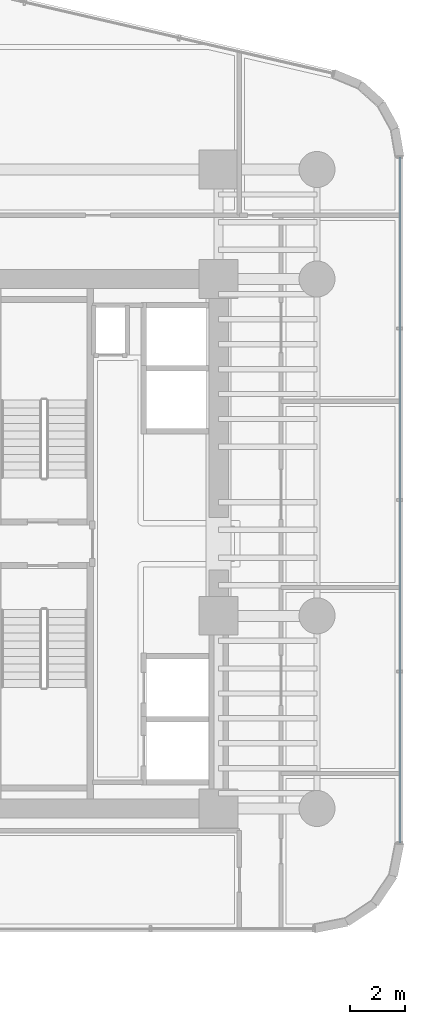
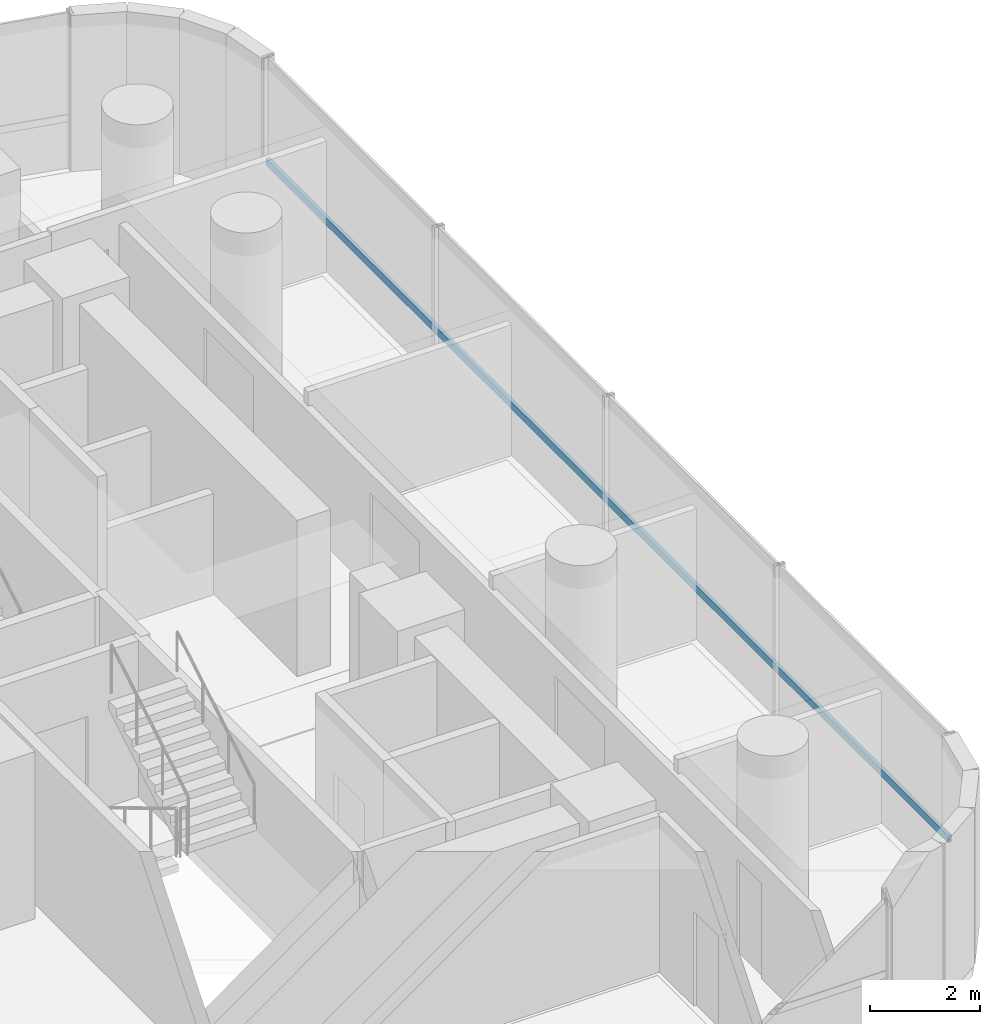
# One storey, part 27 of 41: 1 member, 1 element without a shape of its own.
"""IFC4 building model written with IfcOpenShell, lengths in metres."""

from ifc_helpers import new_model, si_unit, direction, frame, origin, origin_2d, place, context, subcontext, project, spatial, hollow_rectangle, extrude, source, transform, mapped, material, material_profile, profile_set, type_object, element, aggregate, save


model = new_model("IFC4")

# Units and contexts
model_context = context("Model", 3, precision=1e-05, world=origin(), true_north=direction((0.0, 1.0)))
body_context = subcontext(model_context, "Body", "Model", "MODEL_VIEW")
ifc_project = project(units=[si_unit("LENGTHUNIT", "METRE"), si_unit("AREAUNIT", "SQUARE_METRE"), si_unit("VOLUMEUNIT", "CUBIC_METRE"), si_unit("PLANEANGLEUNIT", "RADIAN"), si_unit("MASSUNIT", "GRAM", prefix="KILO")], contexts=[model_context])

# Site, building, storey
site_placement = place(None, origin())
site = spatial("IfcSite", under=ifc_project, at=site_placement, CompositionType="ELEMENT")
building_placement = place(site_placement, origin())
building = spatial("IfcBuilding", under=site, at=building_placement, Name="Valdorenza Pilgrim Sanctuary Tower", CompositionType="ELEMENT")
storey_placement = place(building_placement, frame((0.0, 0.0, 88.89990234375)))
storey = spatial("IfcBuildingStorey", under=building, at=storey_placement, Name="L22", CompositionType="ELEMENT", Elevation=88.89990234375)

# Curtain wall, member
ifc_material_1 = material(Name="Curtain-wall IGU glazing", Category="glass")
curtain_wall_type = type_object("IfcCurtainWallType", Name="CW-SYS-03", PredefinedType="NOTDEFINED", material=ifc_material_1)
curtain_wall_placement = place(storey_placement, origin())
curtain_wall = element("IfcCurtainWall", 1, at=curtain_wall_placement, inside=storey, type_object=curtain_wall_type, Name="L22 Curtain Wall CW-L22-1-21", PredefinedType="NOTDEFINED")
ifc_material_2 = material(Name="Anodised aluminium AW-6060", Category="aluminium")
ifc_material_profile = material_profile(ifc_material_2, hollow_rectangle(XDim=0.074951171875, YDim=0.159912109375, WallThickness=0.00390625, at=origin_2d()), Name="ALU-T 160x75x4")
ifc_profile_set = profile_set([ifc_material_profile], Name="Anodised aluminium AW-6060")
member_type = type_object("IfcMemberType", Name="CW-TRN-03", PredefinedType="USERDEFINED", material=ifc_profile_set)
shared_shape = source(origin(), body_context, "Body", "SweptSolid", [
    extrude(hollow_rectangle(XDim=0.074951171875, YDim=0.159912109375, WallThickness=0.00390625, at=origin_2d()), origin(), (0.0, 0.0, 1.0), 24.734375),
])
member_placement = place(storey_placement, frame((31.389892578125, 13.945068359375, 1.1201171875), z_axis=(0.0, -1.0, 0.0), x_axis=(1.0, 0.0, 0.0)))
member = element("IfcMember", 2, at=member_placement, type_object=member_type, Name="CW-L22-1-21 Transom 1", ObjectType="TRANSOM", PredefinedType="USERDEFINED", context=body_context, shape_type="MappedRepresentation", body=[
    mapped(shared_shape, transform((0.0, 0.0, 0.0), x_axis=(1.0, 0.0, 0.0), y_axis=(0.0, 1.0, 0.0), z_axis=(0.0, 0.0, 1.0), scale=1.0)),
])
aggregate(curtain_wall, [member])

save(model, "model.ifc")
